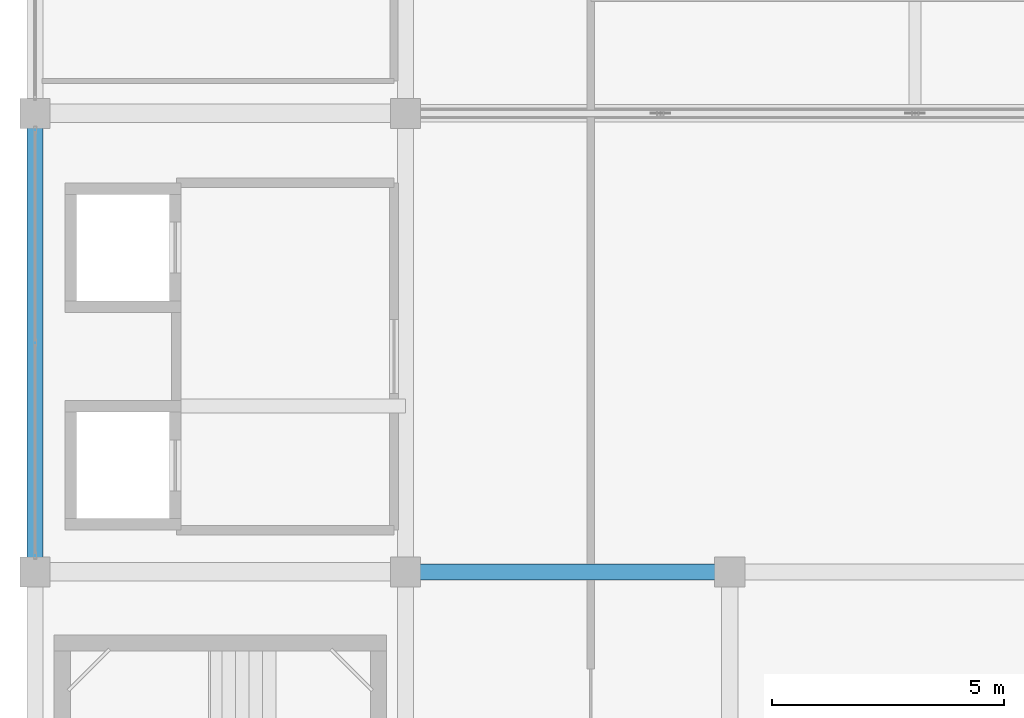
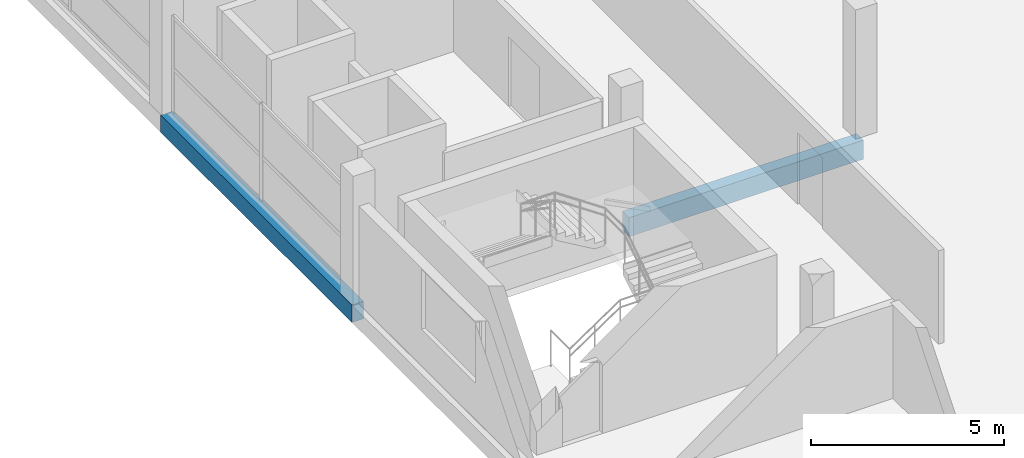
# One storey, part 7 of 70: 2 beams.
"""IFC4 building model written with IfcOpenShell, lengths in metres."""

import ifcopenshell
import ifcopenshell.guid

model = None  # the IFC model being written
_history = None  # IfcOwnerHistory: only IFC2X3 demands one
_inside = {}  # id of a spatial element -> (the spatial element, [elements in it])
_under = {}  # id of a project, library or spatial element -> (it, [spatial elements below it])
_declared = {}  # id of a project -> (the project, [libraries it declares])
_typed = {}  # id of a type object -> (the type object, [elements of that type])
_made_of = {}  # id of a material, layer set ... -> (it, [elements and type objects made of it])


def new_model(schema):
    """Start an empty IFC model of exactly this schema.

    Asked for "IFC4X3", IfcOpenShell would pick the latest addendum, in which some entities
    have other attributes; the version numbers below select the first issue.
    IFC2X3 requires an IfcOwnerHistory on every rooted entity: one is made here for all.
    """
    global model, _history
    if schema == "IFC4X3":
        model = ifcopenshell.file(schema_version=(4, 3, 0, 0))
    else:
        model = ifcopenshell.file(schema=schema)
    _inside.clear()
    _under.clear()
    _declared.clear()
    _typed.clear()
    _made_of.clear()
    _history = None
    if model.schema == "IFC2X3":
        org = make("IfcOrganization", Name="unknown")
        user = make(
            "IfcPersonAndOrganization",
            ThePerson=make("IfcPerson", FamilyName="unknown"),
            TheOrganization=org,
        )
        app = make(
            "IfcApplication",
            ApplicationDeveloper=org,
            Version="unknown",
            ApplicationFullName="unknown",
            ApplicationIdentifier="unknown",
        )
        _history = make(
            "IfcOwnerHistory",
            OwningUser=user,
            OwningApplication=app,
            ChangeAction="ADDED",
            CreationDate=0,
        )
    return model


def make(cls, **values):
    """One entity of the class cls with the attributes given. An attribute that is None is left unset."""
    return model.create_entity(
        cls, **{name: value for name, value in values.items() if value is not None}
    )


def rooted(cls, **values):
    """An entity with a GlobalId (a new one), such as an element, a storey or a relation."""
    return make(cls, GlobalId=ifcopenshell.guid.new(), OwnerHistory=_history, **values)


def si_unit(unit_type, name, prefix=None):
    """IfcSIUnit, for example si_unit("LENGTHUNIT", "METRE", prefix="MILLI")."""
    return make("IfcSIUnit", UnitType=unit_type, Prefix=prefix, Name=name)


def assignment(units):
    """IfcUnitAssignment: the units of a project."""
    return None if units is None else make("IfcUnitAssignment", Units=units)


def point(xyz):
    """IfcCartesianPoint."""
    return None if xyz is None else make("IfcCartesianPoint", Coordinates=xyz)


def direction(xyz):
    """IfcDirection."""
    return None if xyz is None else make("IfcDirection", DirectionRatios=xyz)


def frame(location, z_axis=None, x_axis=None):
    """IfcAxis2Placement3D, a coordinate frame: its origin and axes. An axis left out is left unset."""
    return make(
        "IfcAxis2Placement3D",
        Location=point(location),
        Axis=direction(z_axis),
        RefDirection=direction(x_axis),
    )


def frame_2d(location, x_axis=None):
    """IfcAxis2Placement2D, a coordinate frame in the plane: its origin and x axis."""
    return make(
        "IfcAxis2Placement2D", Location=point(location), RefDirection=direction(x_axis)
    )


def origin():
    """The frame at (0, 0, 0) with its axes left unset."""
    return frame((0.0, 0.0, 0.0))


def origin_2d():
    """The frame at (0, 0) in the plane with its x axis left unset."""
    return frame_2d((0.0, 0.0))


def place(relative_to, where):
    """IfcLocalPlacement: puts the frame where relative to a parent placement (None: the world)."""
    return make(
        "IfcLocalPlacement", PlacementRelTo=relative_to, RelativePlacement=where
    )


def context(
    kind, dimensions, precision=None, world=None, true_north=None, identifier=None
):
    """IfcGeometricRepresentationContext, for example the 3D "Model" context."""
    return make(
        "IfcGeometricRepresentationContext",
        ContextIdentifier=identifier,
        ContextType=kind,
        CoordinateSpaceDimension=dimensions,
        Precision=precision,
        WorldCoordinateSystem=world,
        TrueNorth=true_north,
    )


def subcontext(parent, identifier, kind, view, scale=None):
    """IfcGeometricRepresentationSubContext, for example "Body" below "Model"."""
    return make(
        "IfcGeometricRepresentationSubContext",
        ContextIdentifier=identifier,
        ContextType=kind,
        ParentContext=parent,
        TargetScale=scale,
        TargetView=view,
    )


def project(units=None, contexts=None):
    """IfcProject with its units and contexts."""
    return rooted(
        "IfcProject",
        Name="project",
        RepresentationContexts=contexts,
        UnitsInContext=assignment(units),
    )


def spatial(cls, under=None, at=None, **own):
    """A site, building, storey or space (cls), placed at a placement, below another one or the project."""
    s = rooted(cls, ObjectPlacement=at, **own)
    if under is not None:
        _under.setdefault(under.id(), (under, []))[1].append(s)
    return s


def profile(cls, at=None, kind="AREA", **sizes):
    """A parametric profile (cls). Its sizes go by their IFC names, for example OverallWidth=200.0."""
    return make(cls, ProfileType=kind, Position=at, **sizes)


def rectangle(**sizes):
    """IfcRectangleProfileDef."""
    return profile("IfcRectangleProfileDef", **sizes)


def extrude(swept, where, along, depth):
    """IfcExtrudedAreaSolid: the profile swept, set in the frame where, extruded along a direction by depth."""
    return make(
        "IfcExtrudedAreaSolid",
        SweptArea=swept,
        Position=where,
        ExtrudedDirection=direction(along),
        Depth=depth,
    )


def shape(context_of_items, identifier, shape_type, items):
    """IfcShapeRepresentation: the items that make up one representation, for example the "Body"."""
    return make(
        "IfcShapeRepresentation",
        ContextOfItems=context_of_items,
        RepresentationIdentifier=identifier,
        RepresentationType=shape_type,
        Items=items,
    )


def material(Name=None, Category=None):
    """IfcMaterial."""
    return make("IfcMaterial", Name=Name, Category=Category)


def material_profile(
    of_material, cross_section, Name=None, Category=None, Priority=None
):
    """IfcMaterialProfile: a cross section and its material."""
    return make(
        "IfcMaterialProfile",
        Name=Name,
        Material=of_material,
        Profile=cross_section,
        Priority=Priority,
        Category=Category,
    )


def profile_set(profiles, Name=None, composite=None):
    """IfcMaterialProfileSet."""
    return make(
        "IfcMaterialProfileSet",
        Name=Name,
        MaterialProfiles=profiles,
        CompositeProfile=composite,
    )


def made_of(thing, what):
    """Note that an element or type object is made of a material, layer set ...; save() writes the relation."""
    if what is not None:
        _made_of.setdefault(what.id(), (what, []))[1].append(thing)
    return thing


def type_object(cls, material=None, **own):
    """A type object (cls), such as IfcWallType, which elements share."""
    return made_of(rooted(cls, **own), material)


def element(
    cls,
    number,
    at=None,
    inside=None,
    cuts=None,
    type_object=None,
    material=None,
    context=None,
    identifier="Body",
    shape_type=None,
    held_by="IfcProductDefinitionShape",
    body=None,
    shapes=None,
    **own,
):
    """One element of the class cls, such as IfcWall. Its Tag is "e" and its number.

    at: its placement. inside: the storey or other place that contains it. cuts: it is an
    opening in that element (IfcRelVoidsElement). A single representation is given by context,
    identifier, shape_type and body (its items); several are given by shapes. held_by: the class
    of the entity that holds the representations. save() writes the other relations.
    """
    e = rooted(cls, Tag="e%d" % number, ObjectPlacement=at, **own)
    if body is not None:
        shapes = [shape(context, identifier, shape_type, body)]
    if shapes is not None:
        e.Representation = make(held_by, Representations=shapes)
    if inside is not None:
        _inside.setdefault(inside.id(), (inside, []))[1].append(e)
    if cuts is not None:
        rooted(
            "IfcRelVoidsElement", RelatingBuildingElement=cuts, RelatedOpeningElement=e
        )
    if type_object is not None:
        _typed.setdefault(type_object.id(), (type_object, []))[1].append(e)
    return made_of(e, material)


def aggregate(whole, parts):
    """IfcRelAggregates: a whole, such as a stair, and the parts it consists of."""
    return rooted("IfcRelAggregates", RelatingObject=whole, RelatedObjects=parts)


def save(model, path):
    """Write the relations noted so far, then the file.

    IfcRelAggregates (storeys below a building ...), IfcRelContainedInSpatialStructure (elements
    in a storey), IfcRelDefinesByType, IfcRelAssociatesMaterial and IfcRelDeclares: one each for
    every whole, place, type object, material and project.
    """
    for whole, parts in _under.values():
        aggregate(whole, parts)
    for where, things in _inside.values():
        rooted(
            "IfcRelContainedInSpatialStructure",
            RelatedElements=things,
            RelatingStructure=where,
        )
    for kind, things in _typed.values():
        rooted("IfcRelDefinesByType", RelatedObjects=things, RelatingType=kind)
    for what, things in _made_of.values():
        rooted("IfcRelAssociatesMaterial", RelatedObjects=things, RelatingMaterial=what)
    for by, libraries in _declared.values():
        rooted("IfcRelDeclares", RelatingContext=by, RelatedDefinitions=libraries)
    model.write(path)


model = new_model("IFC4")

# Units and contexts
model_context = context("Model", 3, precision=1e-05, world=origin(), true_north=direction((0.0, 1.0)))
body_context = subcontext(model_context, "Body", "Model", "MODEL_VIEW")
ifc_project = project(units=[si_unit("LENGTHUNIT", "METRE"), si_unit("AREAUNIT", "SQUARE_METRE"), si_unit("VOLUMEUNIT", "CUBIC_METRE"), si_unit("PLANEANGLEUNIT", "RADIAN"), si_unit("MASSUNIT", "GRAM", prefix="KILO")], contexts=[model_context])

# Site, building, storey
site_placement = place(None, origin())
site = spatial("IfcSite", under=ifc_project, at=site_placement, CompositionType="ELEMENT")
building_placement = place(site_placement, origin())
building = spatial("IfcBuilding", under=site, at=building_placement, Name="Sillaruma Civic Art Gallery", CompositionType="ELEMENT")
storey_placement = place(building_placement, frame((0.0, 0.0, 66.300048828125)))
storey = spatial("IfcBuildingStorey", under=building, at=storey_placement, Name="L13", CompositionType="ELEMENT", Elevation=66.300048828125)

# Beams
ifc_material = material(Name="Concrete H35 (35 MPa)", Category="concrete")
ifc_material_profile_1 = material_profile(ifc_material, rectangle(XDim=0.35009765625, YDim=0.60009765625, at=origin_2d()), Name="RCB350x600")
ifc_profile_set_1 = profile_set([ifc_material_profile_1], Name="Concrete H35 (35 MPa)")
beam_type_1 = type_object("IfcBeamType", Name="BM-BEAM-RCB350x600", PredefinedType="BEAM", material=ifc_profile_set_1)
beam_1_placement = place(storey_placement, frame((70.0, 39.60009765625, -0.530029296875), z_axis=(1.0, 0.0, 0.0), x_axis=(0.0, 1.0, 0.0)))
element("IfcBeam", 1, at=beam_1_placement, inside=storey, type_object=beam_type_1, Name="Beam BM-06 (L12:5:G-H)", PredefinedType="BEAM", context=body_context, shape_type="SweptSolid", body=[
    extrude(rectangle(XDim=0.35009765625, YDim=0.60009765625, at=origin_2d()), origin(), (0.0, 0.0, 1.0), 7.0),
])
ifc_material_profile_2 = material_profile(ifc_material, rectangle(XDim=0.35009765625, YDim=0.550048828125, at=origin_2d()), Name="RCB350x550")
ifc_profile_set_2 = profile_set([ifc_material_profile_2], Name="Concrete H35 (35 MPa)")
beam_type_2 = type_object("IfcBeamType", Name="BM-SPANDREL-RCB350x550", PredefinedType="SPANDREL", material=ifc_profile_set_2)
beam_2_placement = place(storey_placement, frame((62.0, 39.60009765625, -0.505126953125), z_axis=(0.0, 1.0, 0.0), x_axis=(-1.0, 0.0, 0.0)))
element("IfcBeam", 2, at=beam_2_placement, inside=storey, type_object=beam_type_2, Name="Beam BS-04 (L12:F:5-6)", PredefinedType="SPANDREL", context=body_context, shape_type="SweptSolid", body=[
    extrude(rectangle(XDim=0.35009765625, YDim=0.550048828125, at=origin_2d()), origin(), (0.0, 0.0, 1.0), 9.89990234375),
])

save(model, "model.ifc")
